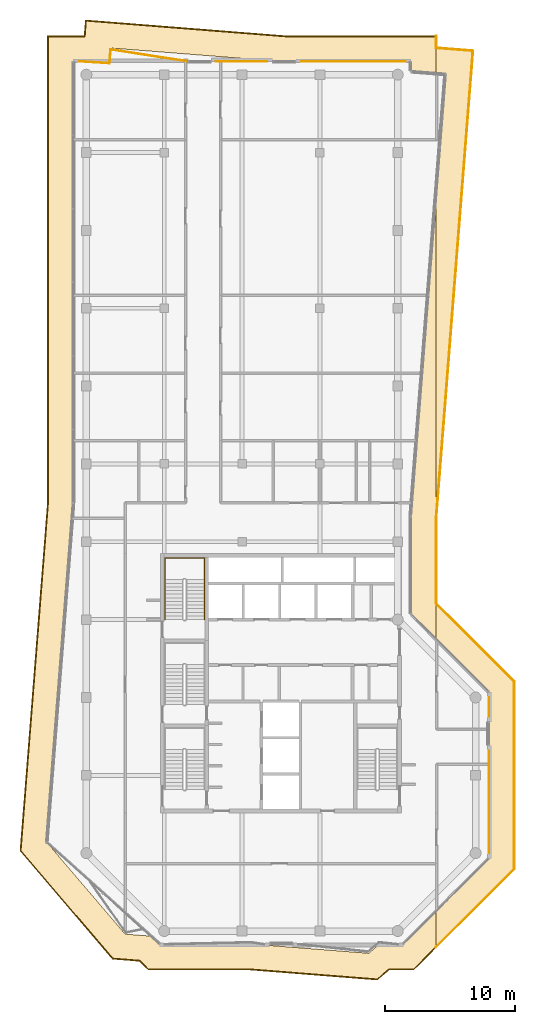
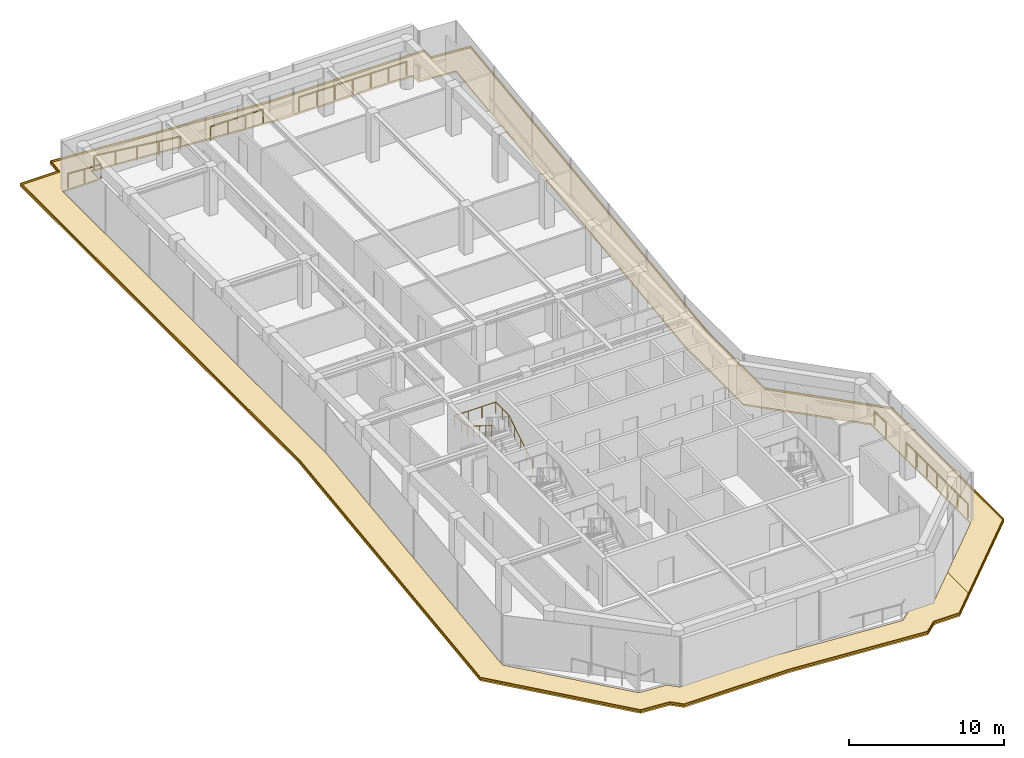
# One storey, part 22 of 22: 6 railings, 5 coverings.
"""IFC4 building model written with IfcOpenShell, lengths in metres."""

from ifc_helpers import new_model, si_unit, direction, frame, origin, origin_2d, place, context, subcontext, project, spatial, polyline, circle, outline, extrude, material, layer, layer_set, type_object, element, save


model = new_model("IFC4")

# Units and contexts
model_context = context("Model", 3, precision=1e-05, world=origin(), true_north=direction((0.0, 1.0)))
body_context = subcontext(model_context, "Body", "Model", "MODEL_VIEW")
ifc_project = project(units=[si_unit("LENGTHUNIT", "METRE"), si_unit("AREAUNIT", "SQUARE_METRE"), si_unit("VOLUMEUNIT", "CUBIC_METRE"), si_unit("PLANEANGLEUNIT", "RADIAN"), si_unit("MASSUNIT", "GRAM", prefix="KILO")], contexts=[model_context])

# Site, building, storey
site_placement = place(None, origin())
site = spatial("IfcSite", under=ifc_project, at=site_placement, CompositionType="ELEMENT")
building_placement = place(site_placement, origin())
building = spatial("IfcBuilding", under=site, at=building_placement, Name="Welwitschia Terrace Campus", CompositionType="ELEMENT")
storey_placement = place(building_placement, frame((0.0, 0.0, 268.39990234375)))
storey = spatial("IfcBuildingStorey", under=building, at=storey_placement, Name="L59", CompositionType="ELEMENT", Elevation=268.39990234375)

# Railings
ifc_material_1 = material(Name="Stainless steel grade 316", Category="steel")
railing_type_1 = type_object("IfcRailingType", Name="Guard 1100", PredefinedType="GUARDRAIL", material=ifc_material_1)
railing_1_placement = place(storey_placement, frame((-0.580078125, 63.030029296875, 0.0)))
element("IfcRailing", 1, at=railing_1_placement, inside=storey, type_object=railing_type_1, Name="Guard floor edge L59.0", PredefinedType="GUARDRAIL", context=body_context, shape_type="SweptSolid", body=[
    extrude(circle(Radius=0.02392578125, at=origin_2d()), frame((0.0, 0.0, 1.076171875), z_axis=(0.997996952263, -0.063262020784, 0.0), x_axis=(0.063262020784, 0.997996952263, 0.0)), (0.0, 0.0, 1.0), 2.373291015625),
    extrude(circle(Radius=0.02392578125, at=origin_2d()), frame((2.36865234375, -0.150146484375, 1.076171875), z_axis=(0.078594302847, 0.996906683476, 0.0), x_axis=(-0.996906683476, 0.078594302847, 0.0)), (0.0, 0.0, 1.0), 1.062255859375),
    extrude(circle(Radius=0.02392578125, at=origin_2d()), frame((2.4521484375, 0.908935546875, 1.076171875), z_axis=(0.98835326128, -0.152176972363, 0.0), x_axis=(0.152176972363, 0.98835326128, 0.0)), (0.0, 0.0, 1.0), 5.972900390625),
    extrude(circle(Radius=0.02099609375, at=origin_2d()), origin(), (0.0, 0.0, 1.0), 1.052001953125),
    extrude(circle(Radius=0.02099609375, at=origin_2d()), frame((1.184326171875, -0.0751953125, 0.0)), (0.0, 0.0, 1.0), 1.052001953125),
    extrude(circle(Radius=0.02099609375, at=origin_2d()), frame((2.36865234375, -0.150146484375, 0.0)), (0.0, 0.0, 1.0), 1.052001953125),
    extrude(circle(Radius=0.02099609375, at=origin_2d()), frame((2.4521484375, 0.908935546875, 0.0)), (0.0, 0.0, 1.0), 1.052001953125),
    extrude(circle(Radius=0.02099609375, at=origin_2d()), frame((3.927978515625, 0.681640625, 0.0)), (0.0, 0.0, 1.0), 1.052001953125),
    extrude(circle(Radius=0.02099609375, at=origin_2d()), frame((5.40380859375, 0.45458984375, 0.0)), (0.0, 0.0, 1.0), 1.052001953125),
    extrude(circle(Radius=0.02099609375, at=origin_2d()), frame((6.879638671875, 0.227294921875, 0.0)), (0.0, 0.0, 1.0), 1.052001953125),
    extrude(circle(Radius=0.02099609375, at=origin_2d()), frame((8.35546875, 0.0, 0.0)), (0.0, 0.0, 1.0), 1.052001953125),
])
railing_2_placement = place(storey_placement, frame((10.00244140625, 63.030029296875, 0.0)))
element("IfcRailing", 2, at=railing_2_placement, inside=storey, type_object=railing_type_1, Name="Guard floor edge L59.3", PredefinedType="GUARDRAIL", context=body_context, shape_type="SweptSolid", body=[
    extrude(circle(Radius=0.02392578125, at=origin_2d()), frame((0.0, 0.0, 1.076171875), z_axis=(1.0, 0.0, 0.0), x_axis=(0.0, 1.0, 0.0)), (0.0, 0.0, 1.0), 3.906982421875),
    extrude(circle(Radius=0.02099609375, at=origin_2d()), origin(), (0.0, 0.0, 1.0), 1.052001953125),
    extrude(circle(Radius=0.02099609375, at=origin_2d()), frame((1.30224609375, 0.0, 0.0)), (0.0, 0.0, 1.0), 1.052001953125),
    extrude(circle(Radius=0.02099609375, at=origin_2d()), frame((2.604736328125, 0.0, 0.0)), (0.0, 0.0, 1.0), 1.052001953125),
    extrude(circle(Radius=0.02099609375, at=origin_2d()), frame((3.906982421875, 0.0, 0.0)), (0.0, 0.0, 1.0), 1.052001953125),
])
railing_3_placement = place(storey_placement, frame((16.581298828125, 63.030029296875, 0.0)))
element("IfcRailing", 3, at=railing_3_placement, inside=storey, type_object=railing_type_1, Name="Guard floor edge L59.5", PredefinedType="GUARDRAIL", context=body_context, shape_type="SweptSolid", body=[
    extrude(circle(Radius=0.02392578125, at=origin_2d()), frame((0.0, 0.0, 1.076171875), z_axis=(1.0, 0.0, 0.0), x_axis=(0.0, 1.0, 0.0)), (0.0, 0.0, 1.0), 7.998779296875),
    extrude(circle(Radius=0.02099609375, at=origin_2d()), origin(), (0.0, 0.0, 1.0), 1.052001953125),
    extrude(circle(Radius=0.02099609375, at=origin_2d()), frame((1.3330078125, 0.0, 0.0)), (0.0, 0.0, 1.0), 1.052001953125),
    extrude(circle(Radius=0.02099609375, at=origin_2d()), frame((2.666259765625, 0.0, 0.0)), (0.0, 0.0, 1.0), 1.052001953125),
    extrude(circle(Radius=0.02099609375, at=origin_2d()), frame((3.99951171875, 0.0, 0.0)), (0.0, 0.0, 1.0), 1.052001953125),
    extrude(circle(Radius=0.02099609375, at=origin_2d()), frame((5.33251953125, 0.0, 0.0)), (0.0, 0.0, 1.0), 1.052001953125),
    extrude(circle(Radius=0.02099609375, at=origin_2d()), frame((6.66552734375, 0.0, 0.0)), (0.0, 0.0, 1.0), 1.052001953125),
    extrude(circle(Radius=0.02099609375, at=origin_2d()), frame((7.998779296875, 0.0, 0.0)), (0.0, 0.0, 1.0), 1.052001953125),
])
railing_4_placement = place(storey_placement, frame((31.030029296875, 9.8896484375, 0.0)))
element("IfcRailing", 4, at=railing_4_placement, inside=storey, type_object=railing_type_1, Name="Guard floor edge L59.6", PredefinedType="GUARDRAIL", context=body_context, shape_type="SweptSolid", body=[
    extrude(circle(Radius=0.02392578125, at=origin_2d()), frame((0.0, 0.0, 1.076171875), z_axis=(0.0, -1.0, 0.0), x_axis=(1.0, 0.0, 0.0)), (0.0, 0.0, 1.0), 7.892578125),
    extrude(circle(Radius=0.02099609375, at=origin_2d()), origin(), (0.0, 0.0, 1.0), 1.052001953125),
    extrude(circle(Radius=0.02099609375, at=origin_2d()), frame((0.0, -1.3154296875, 0.0)), (0.0, 0.0, 1.0), 1.052001953125),
    extrude(circle(Radius=0.02099609375, at=origin_2d()), frame((0.0, -2.630859375, 0.0)), (0.0, 0.0, 1.0), 1.052001953125),
    extrude(circle(Radius=0.02099609375, at=origin_2d()), frame((0.0, -3.9462890625, 0.0)), (0.0, 0.0, 1.0), 1.052001953125),
    extrude(circle(Radius=0.02099609375, at=origin_2d()), frame((0.0, -5.26171875, 0.0)), (0.0, 0.0, 1.0), 1.052001953125),
    extrude(circle(Radius=0.02099609375, at=origin_2d()), frame((0.0, -6.5771484375, 0.0)), (0.0, 0.0, 1.0), 1.052001953125),
    extrude(circle(Radius=0.02099609375, at=origin_2d()), frame((0.0, -7.892578125, 0.0)), (0.0, 0.0, 1.0), 1.052001953125),
])
railing_5_placement = place(storey_placement, frame((31.030029296875, 14.0029296875, 0.0)))
element("IfcRailing", 5, at=railing_5_placement, inside=storey, type_object=railing_type_1, Name="Guard floor edge L59.7", PredefinedType="GUARDRAIL", context=body_context, shape_type="SweptSolid", body=[
    extrude(circle(Radius=0.02392578125, at=origin_2d()), frame((0.0, 0.0, 1.076171875), z_axis=(0.0, -1.0, 0.0), x_axis=(1.0, 0.0, 0.0)), (0.0, 0.0, 1.0), 1.4658203125),
    extrude(circle(Radius=0.02099609375, at=origin_2d()), origin(), (0.0, 0.0, 1.0), 1.052001953125),
    extrude(circle(Radius=0.02099609375, at=origin_2d()), frame((0.0, -1.4658203125, 0.0)), (0.0, 0.0, 1.0), 1.052001953125),
])
ifc_material_2 = material(Name="Steel S355", Category="steel")
railing_type_2 = type_object("IfcRailingType", Name="Stair handrail 900", PredefinedType="HANDRAIL", material=ifc_material_2)
railing_6_placement = place(storey_placement, frame((9.10009765625, 20.0, 0.175048828125)))
element("IfcRailing", 6, at=railing_6_placement, inside=storey, type_object=railing_type_2, Name="L59 S4 stair handrail", PredefinedType="HANDRAIL", context=body_context, shape_type="SweptSolid", body=[
    extrude(circle(Radius=0.02392578125, at=origin_2d()), frame((0.0, 0.0, 0.8759765625), z_axis=(0.0, 0.847998304005, 0.529998940003), x_axis=(-1.0, 0.0, 0.0)), (0.0, 0.0, 1.0), 3.632080078125),
    extrude(circle(Radius=0.02392578125, at=origin_2d()), frame((0.0, 3.080078125, 2.80078125), z_axis=(0.0, 1.0, 0.0), x_axis=(-1.0, 0.0, 0.0)), (0.0, 0.0, 1.0), 1.669921875),
    extrude(circle(Radius=0.02392578125, at=origin_2d()), frame((0.0, 4.75, 2.80078125), z_axis=(-1.0, 0.0, 0.0), x_axis=(0.0, -1.0, 0.0)), (0.0, 0.0, 1.0), 3.050048828125),
    extrude(circle(Radius=0.02392578125, at=origin_2d()), frame((-3.050048828125, 4.75, 2.80078125), z_axis=(0.0, -0.99455077262, 0.104253348533), x_axis=(1.0, 0.0, 0.0)), (0.0, 0.0, 1.0), 1.678955078125),
    extrude(circle(Radius=0.02392578125, at=origin_2d()), frame((-3.050048828125, 3.080078125, 2.97607421875), z_axis=(0.0, -0.847998304005, 0.529998940003), x_axis=(1.0, 0.0, 0.0)), (0.0, 0.0, 1.0), 3.632080078125),
    extrude(circle(Radius=0.02099609375, at=origin_2d()), origin(), (0.0, 0.0, 1.0), 0.851806640625),
    extrude(circle(Radius=0.02099609375, at=origin_2d()), frame((0.0, 0.77001953125, 0.481201171875)), (0.0, 0.0, 1.0), 0.851806640625),
    extrude(circle(Radius=0.02099609375, at=origin_2d()), frame((0.0, 1.5400390625, 0.96240234375)), (0.0, 0.0, 1.0), 0.851806640625),
    extrude(circle(Radius=0.02099609375, at=origin_2d()), frame((0.0, 2.31005859375, 1.44384765625)), (0.0, 0.0, 1.0), 0.851806640625),
    extrude(circle(Radius=0.02099609375, at=origin_2d()), frame((0.0, 3.080078125, 1.925048828125)), (0.0, 0.0, 1.0), 0.851806640625),
    extrude(circle(Radius=0.02099609375, at=origin_2d()), frame((0.0, 3.9150390625, 1.925048828125)), (0.0, 0.0, 1.0), 0.851806640625),
    extrude(circle(Radius=0.02099609375, at=origin_2d()), frame((0.0, 4.75, 1.925048828125)), (0.0, 0.0, 1.0), 0.851806640625),
    extrude(circle(Radius=0.02099609375, at=origin_2d()), frame((-1.0166015625, 4.75, 1.925048828125)), (0.0, 0.0, 1.0), 0.851806640625),
    extrude(circle(Radius=0.02099609375, at=origin_2d()), frame((-2.033447265625, 4.75, 1.925048828125)), (0.0, 0.0, 1.0), 0.851806640625),
    extrude(circle(Radius=0.02099609375, at=origin_2d()), frame((-3.050048828125, 4.75, 1.925048828125)), (0.0, 0.0, 1.0), 0.851806640625),
    extrude(circle(Radius=0.02099609375, at=origin_2d()), frame((-3.050048828125, 3.9150390625, 2.0126953125)), (0.0, 0.0, 1.0), 0.851806640625),
    extrude(circle(Radius=0.02099609375, at=origin_2d()), frame((-3.050048828125, 3.080078125, 2.10009765625)), (0.0, 0.0, 1.0), 0.851806640625),
    extrude(circle(Radius=0.02099609375, at=origin_2d()), frame((-3.050048828125, 2.31005859375, 2.581298828125)), (0.0, 0.0, 1.0), 0.851806640625),
    extrude(circle(Radius=0.02099609375, at=origin_2d()), frame((-3.050048828125, 1.5400390625, 3.0625)), (0.0, 0.0, 1.0), 0.851806640625),
    extrude(circle(Radius=0.02099609375, at=origin_2d()), frame((-3.050048828125, 0.77001953125, 3.5439453125)), (0.0, 0.0, 1.0), 0.851806640625),
    extrude(circle(Radius=0.02099609375, at=origin_2d()), frame((-3.050048828125, 0.0, 4.025146484375)), (0.0, 0.0, 1.0), 0.851806640625),
])

# Coverings
ifc_material_3 = material(Name="Bronze anodised aluminium", Category="aluminium")
ifc_layer_1 = layer(ifc_material_3, 0.1201171875)
ifc_layer_set_1 = layer_set([ifc_layer_1], Name="Bronze anodised aluminium")
covering_type_1 = type_object("IfcCoveringType", Name="Sunshade band 2000", PredefinedType="USERDEFINED", material=ifc_layer_set_1)
covering_1_placement = place(storey_placement, frame((0.0, 0.0, -0.25)))
element("IfcCovering", 7, at=covering_1_placement, inside=storey, type_object=covering_type_1, Name="SUNSHADE L59.SW0", ObjectType="SUNSHADE", PredefinedType="USERDEFINED", context=body_context, shape_type="SweptSolid", body=[
    extrude(outline(polyline([(-0.0751953125, 66.21875), (15.41162109375, 65.0), (26.943359375, 65.0), (26.943359375, 62.086181640625), (25.0, 62.2392578125), (25.0, 63.0), (15.3330078125, 63.0), (1.76171875, 64.068115234375), (1.677734375, 63.0), (-1.0, 63.0), (-1.0, 28.976318359375), (-3.056640625, 2.84326171875), (2.991943359375, -4.239013671875), (4.9814453125, -4.3955078125), (5.585693359375, -5.0), (12.6611328125, -5.0), (21.762451171875, -5.71630859375), (22.60107421875, -5.0), (24.414306640625, -5.0), (26.943359375, -2.470947265625), (26.943359375, -5.29931640625), (25.24267578125, -7.0), (23.3388671875, -7.0), (22.431396484375, -7.775146484375), (12.58251953125, -7.0), (4.75732421875, -7.0), (4.0888671875, -6.33154296875), (2.00927734375, -6.16796875), (-5.115478515625, 2.17431640625), (-3.0, 29.054931640625), (-3.0, 65.0), (-0.171142578125, 65.0), (-0.0751953125, 66.21875)])), origin(), (0.0, 0.0, 1.0), 0.1201171875),
])
covering_2_placement = place(storey_placement, frame((0.0, 0.0, -0.25)))
element("IfcCovering", 8, at=covering_2_placement, inside=storey, type_object=covering_type_1, Name="SUNSHADE L59.SW1", ObjectType="SUNSHADE", PredefinedType="USERDEFINED", context=body_context, shape_type="SweptSolid", body=[
    extrude(outline(polyline([(25.0, 20.414306640625), (25.0, 27.954833984375), (26.943359375, 52.646484375), (26.943359375, 18.470947265625), (25.0, 20.414306640625)])), origin(), (0.0, 0.0, 1.0), 0.1201171875),
])
covering_3_placement = place(storey_placement, frame((0.0, 0.0, -0.25)))
element("IfcCovering", 9, at=covering_3_placement, inside=storey, type_object=covering_type_1, Name="SUNSHADE L59.SE0", ObjectType="SUNSHADE", PredefinedType="USERDEFINED", context=body_context, shape_type="SweptSolid", body=[
    extrude(outline(polyline([(27.0, 65.0), (27.0, 64.087890625), (29.83251953125, 63.864990234375), (27.0, 27.876220703125), (27.0, 21.24267578125), (33.0, 15.24267578125), (33.0, 0.75732421875), (26.943359375, -5.29931640625), (26.943359375, -2.470947265625), (31.0, 1.585693359375), (31.0, 14.414306640625), (26.943359375, 18.470947265625), (26.943359375, 52.646484375), (27.681640625, 62.028076171875), (26.943359375, 62.086181640625), (26.943359375, 65.0), (27.0, 65.0)])), origin(), (0.0, 0.0, 1.0), 0.1201171875),
])
ifc_material_4 = material(Name="Bronze anodised aluminium", Category="aluminium")
ifc_layer_2 = layer(ifc_material_4, 0.06005859375)
ifc_layer_set_2 = layer_set([ifc_layer_2], Name="Bronze anodised aluminium")
covering_type_2 = type_object("IfcCoveringType", Name="Sunshade lip 60", PredefinedType="USERDEFINED", material=ifc_layer_set_2)
covering_4_placement = place(storey_placement, frame((0.0, 0.0, -0.1298828125)))
element("IfcCovering", 10, at=covering_4_placement, inside=storey, type_object=covering_type_2, Name="SUNSHADE LIP L59.SW0.0", ObjectType="SUNSHADE", PredefinedType="USERDEFINED", context=body_context, shape_type="SweptSolid", body=[
    extrude(outline(polyline([(15.41162109375, 65.0), (26.943359375, 65.0), (26.943359375, 64.0322265625), (26.93994140625, 64.93994140625), (15.4091796875, 64.93994140625), (-0.02001953125, 66.154296875), (-0.115478515625, 64.93994140625), (-2.93994140625, 64.93994140625), (-2.93994140625, 29.052490234375), (-5.0537109375, 2.1943359375), (2.038818359375, -6.110107421875), (4.11572265625, -6.2734375), (4.7822265625, -6.93994140625), (12.5849609375, -6.93994140625), (22.411376953125, -7.71337890625), (23.31689453125, -6.93994140625), (25.2177734375, -6.93994140625), (26.943359375, -5.214599609375), (26.943359375, -5.29931640625), (25.24267578125, -7.0), (23.3388671875, -7.0), (22.431396484375, -7.775146484375), (12.58251953125, -7.0), (4.75732421875, -7.0), (4.0888671875, -6.33154296875), (2.00927734375, -6.16796875), (-5.115478515625, 2.17431640625), (-3.0, 29.054931640625), (-3.0, 65.0), (-0.171142578125, 65.0), (-0.0751953125, 66.21875), (15.41162109375, 65.0)])), origin(), (0.0, 0.0, 1.0), 0.1298828125),
])
covering_5_placement = place(storey_placement, frame((0.0, 0.0, -0.1298828125)))
element("IfcCovering", 11, at=covering_5_placement, inside=storey, type_object=covering_type_2, Name="SUNSHADE LIP L59.SE0.0", ObjectType="SUNSHADE", PredefinedType="USERDEFINED", context=body_context, shape_type="SweptSolid", body=[
    extrude(outline(polyline([(27.0, 64.087890625), (29.83251953125, 63.864990234375), (27.0, 27.876220703125), (27.0, 21.24267578125), (33.0, 15.24267578125), (33.0, 0.75732421875), (26.943359375, -5.29931640625), (26.943359375, -5.214599609375), (32.93994140625, 0.7822265625), (32.93994140625, 15.2177734375), (26.943359375, 21.214599609375), (26.943359375, 27.920166015625), (29.767822265625, 63.809814453125), (26.943359375, 64.0322265625), (26.943359375, 65.0), (27.0, 65.0), (27.0, 64.087890625)])), origin(), (0.0, 0.0, 1.0), 0.1298828125),
])

save(model, "model.ifc")
